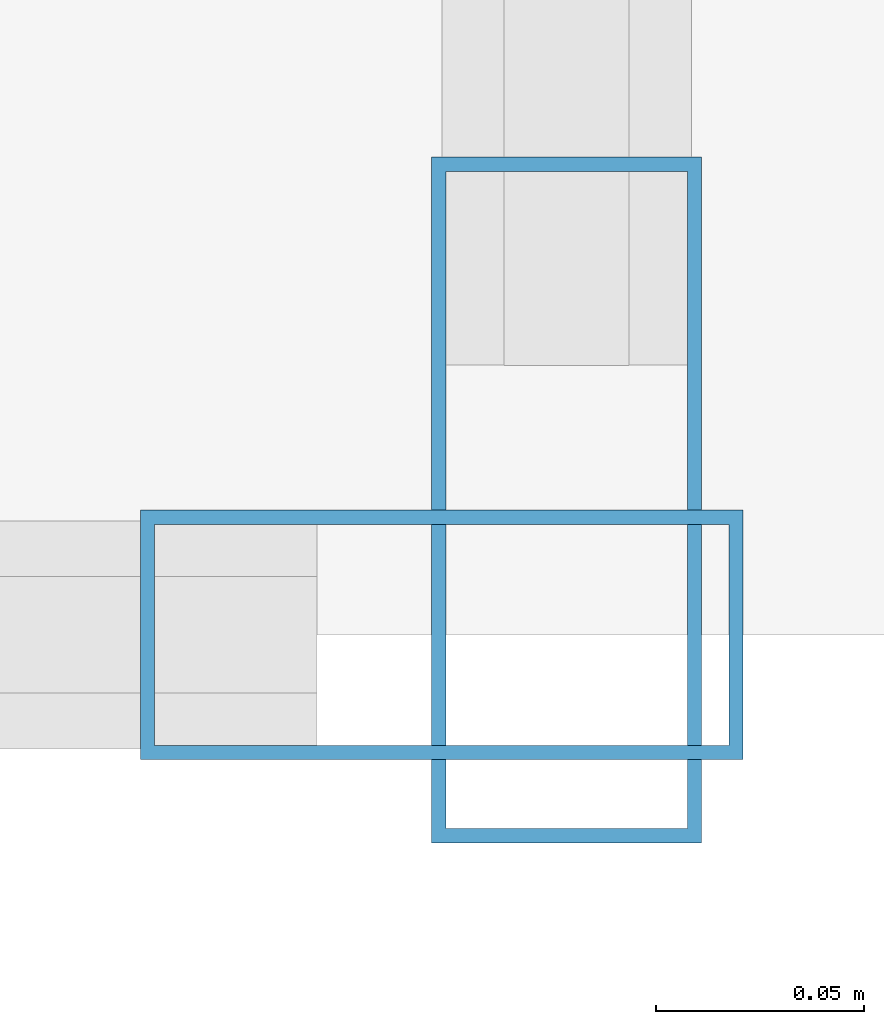
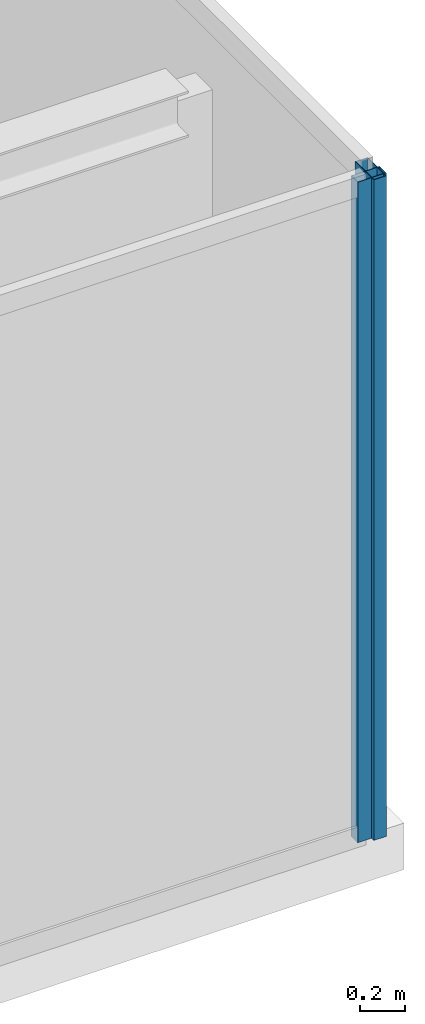
# One storey, part 17 of 31: 2 members, 2 elements without a shape of their own.
"""IFC4 building model written with IfcOpenShell, lengths in metres."""

from ifc_helpers import new_model, si_unit, direction, frame, origin, origin_2d, place, context, subcontext, project, spatial, hollow_rectangle, extrude, source, transform, mapped, material, layer, layer_set, material_profile, profile_set, type_object, type_shapes, element, aggregate, save


model = new_model("IFC4")

# Units and contexts
model_context = context("Model", 3, precision=1e-05, world=origin(), true_north=direction((0.0, 1.0)))
body_context = subcontext(model_context, "Body", "Model", "MODEL_VIEW")
ifc_project = project(units=[si_unit("LENGTHUNIT", "METRE"), si_unit("AREAUNIT", "SQUARE_METRE"), si_unit("VOLUMEUNIT", "CUBIC_METRE"), si_unit("PLANEANGLEUNIT", "RADIAN"), si_unit("MASSUNIT", "GRAM", prefix="KILO")], contexts=[model_context])

# Site, building, storey
site_placement = place(None, origin())
site = spatial("IfcSite", under=ifc_project, at=site_placement, CompositionType="ELEMENT")
building_placement = place(site_placement, origin())
building = spatial("IfcBuilding", under=site, at=building_placement, Name="Varnel Quay Broadcast Tower", CompositionType="ELEMENT")
storey_placement = place(building_placement, frame((0.0, 0.0, 215.0)))
storey = spatial("IfcBuildingStorey", under=building, at=storey_placement, Name="L53", CompositionType="ELEMENT", Elevation=215.0)

# Curtain wall, member
ifc_material = material(Name="Anodised Bronze Aluminium 6063-T6", Category="aluminium")
ifc_layer_1 = layer(ifc_material, 0.18994140625, Name="Anodised Bronze Aluminium 6063-T6")
ifc_layer_set_1 = layer_set([ifc_layer_1], Name="Anodised Bronze Aluminium 6063-T6")
curtain_wall_type_1 = type_object("IfcCurtainWallType", Name="CW_NotchCorner", PredefinedType="NOTDEFINED", material=ifc_layer_set_1)
curtain_wall_1_placement = place(storey_placement, origin())
curtain_wall_1 = element("IfcCurtainWall", 1, at=curtain_wall_1_placement, inside=storey, type_object=curtain_wall_type_1, Name="L53 SE Notch Curtain Wall", PredefinedType="NOTDEFINED")
ifc_material_profile_1 = material_profile(ifc_material, hollow_rectangle(XDim=0.06005859375, YDim=0.14501953125, WallThickness=0.00341796875, at=origin_2d()), Name="ALU60X145X3.5")
ifc_profile_set_1 = profile_set([ifc_material_profile_1], Name="Anodised Bronze Aluminium 6063-T6")
member_type_1 = type_object("IfcMemberType", Name="Mull_CWS-04", PredefinedType="MULLION", material=ifc_profile_set_1)
shared_shape_1 = source(origin(), body_context, "Body", "SweptSolid", [
    extrude(hollow_rectangle(XDim=0.06005859375, YDim=0.14501953125, WallThickness=0.00341796875, at=origin_2d()), origin(), (0.0, 0.0, 1.0), 3.550048828125),
])
type_shapes(member_type_1, [shared_shape_1])
member_1_placement = place(storey_placement, frame((58.320068359375, 13.60009765625, 0.0), z_axis=(0.0, 0.0, 1.0), x_axis=(0.0, 1.0, 0.0)))
member_1 = element("IfcMember", 2, at=member_1_placement, type_object=member_type_1, Name="CWS-04 mullion 2", PredefinedType="MULLION", context=body_context, shape_type="MappedRepresentation", body=[
    mapped(shared_shape_1, transform((0.0, 0.0, 0.0), x_axis=(1.0, 0.0, 0.0), y_axis=(0.0, 1.0, 0.0), z_axis=(0.0, 0.0, 1.0), scale=1.0)),
])
aggregate(curtain_wall_1, [member_1])

ifc_layer_2 = layer(ifc_material, 0.18994140625, Name="Anodised Bronze Aluminium 6063-T6")
ifc_layer_set_2 = layer_set([ifc_layer_2], Name="Anodised Bronze Aluminium 6063-T6")
curtain_wall_type_2 = type_object("IfcCurtainWallType", Name="CW_UpperTower", PredefinedType="NOTDEFINED", material=ifc_layer_set_2)
curtain_wall_2_placement = place(storey_placement, origin())
curtain_wall_2 = element("IfcCurtainWall", 3, at=curtain_wall_2_placement, inside=storey, type_object=curtain_wall_type_2, Name="L53 East Unitised Curtain Wall", PredefinedType="NOTDEFINED")
ifc_material_profile_2 = material_profile(ifc_material, hollow_rectangle(XDim=0.06494140625, YDim=0.1650390625, WallThickness=0.00341796875, at=origin_2d()), Name="ALU65X165X3.5")
ifc_profile_set_2 = profile_set([ifc_material_profile_2], Name="Anodised Bronze Aluminium 6063-T6")
member_type_2 = type_object("IfcMemberType", Name="Mull_CWS-03", PredefinedType="MULLION", material=ifc_profile_set_2)
shared_shape_2 = source(origin(), body_context, "Body", "SweptSolid", [
    extrude(hollow_rectangle(XDim=0.06494140625, YDim=0.1650390625, WallThickness=0.00341796875, at=origin_2d()), origin(), (0.0, 0.0, 1.0), 3.550048828125),
])
type_shapes(member_type_2, [shared_shape_2])
member_2_placement = place(storey_placement, frame((58.35009765625, 13.632568359375, 0.0), z_axis=(0.0, 0.0, 1.0), x_axis=(-1.0, 0.0, 0.0)))
member_2 = element("IfcMember", 4, at=member_2_placement, type_object=member_type_2, Name="CWS-03 mullion 1", PredefinedType="MULLION", context=body_context, shape_type="MappedRepresentation", body=[
    mapped(shared_shape_2, transform((0.0, 0.0, 0.0), x_axis=(1.0, 0.0, 0.0), y_axis=(0.0, 1.0, 0.0), z_axis=(0.0, 0.0, 1.0), scale=1.0)),
])
aggregate(curtain_wall_2, [member_2])

save(model, "model.ifc")
